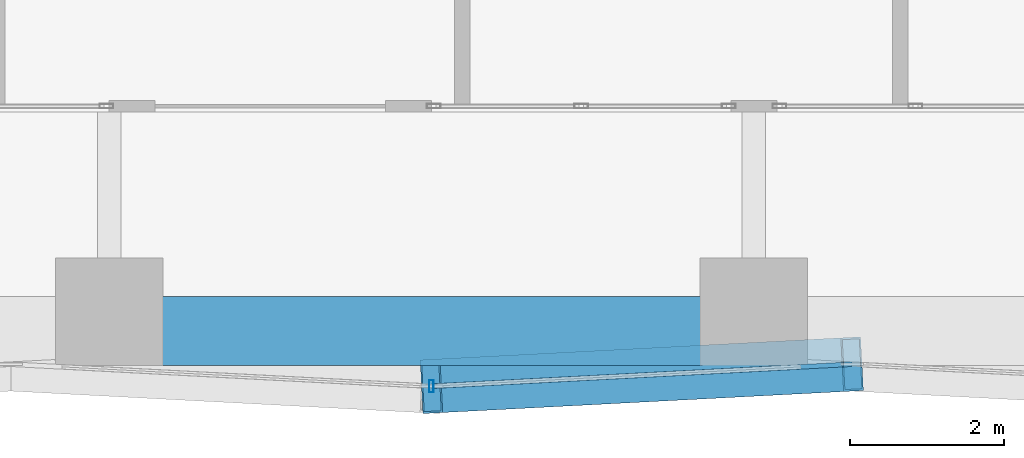
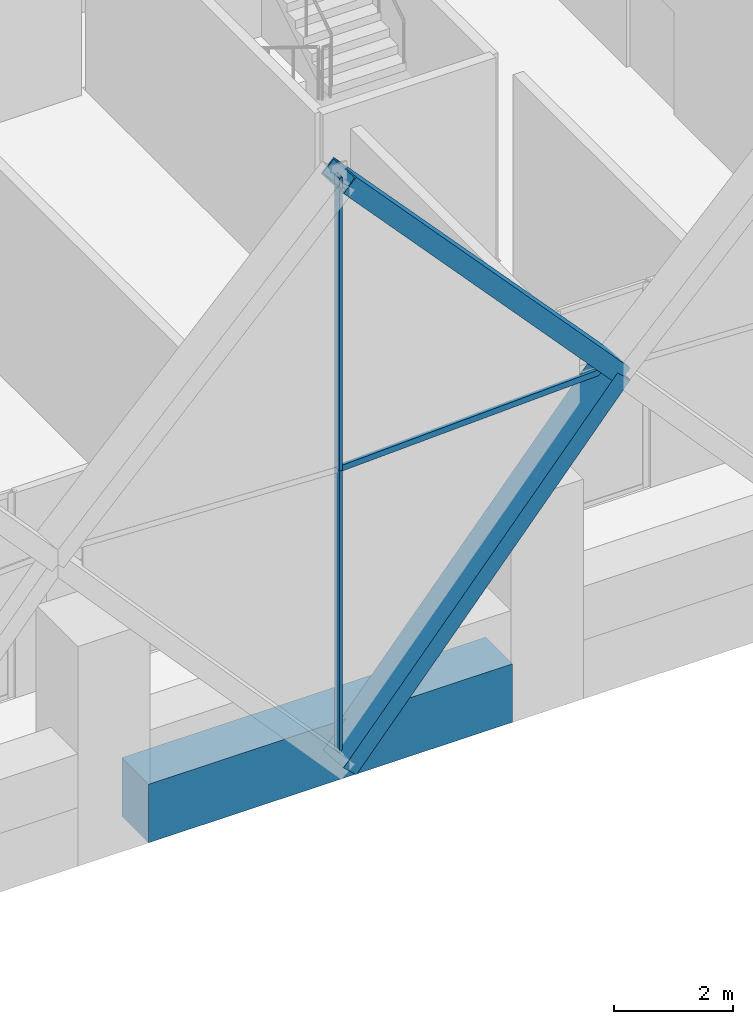
# One storey, part 9 of 46: 5 members, 1 beam, 2 elements without a shape of their own.
"""IFC4 building model written with IfcOpenShell, lengths in metres."""

from ifc_helpers import new_model, si_unit, direction, frame, origin, origin_2d, place, context, subcontext, project, spatial, rectangle, hollow_rectangle, extrude, material, material_profile, profile_set, type_object, element, aggregate, save


model = new_model("IFC4")

# Units and contexts
model_context = context("Model", 3, precision=1e-05, world=origin(), true_north=direction((0.0, 1.0)))
body_context = subcontext(model_context, "Body", "Model", "MODEL_VIEW")
ifc_project = project(units=[si_unit("LENGTHUNIT", "METRE"), si_unit("AREAUNIT", "SQUARE_METRE"), si_unit("VOLUMEUNIT", "CUBIC_METRE"), si_unit("PLANEANGLEUNIT", "RADIAN"), si_unit("MASSUNIT", "GRAM", prefix="KILO")], contexts=[model_context])

# Site, building, storey
site_placement = place(None, origin())
site = spatial("IfcSite", under=ifc_project, at=site_placement, CompositionType="ELEMENT")
building_placement = place(site_placement, origin())
building = spatial("IfcBuilding", under=site, at=building_placement, Name="Ostrander Bayou Hotel Tower", CompositionType="ELEMENT")
storey_placement = place(building_placement, frame((0.0, 0.0, 23.5)))
storey = spatial("IfcBuildingStorey", under=building, at=storey_placement, Name="L05", CompositionType="ELEMENT", Elevation=23.5)

# Curtain wall, members
ifc_material_1 = material(Name="Aluminium and clear glass", Category="aluminium")
curtain_wall_type = type_object("IfcCurtainWallType", Name="CW-LAT lattice glazing", PredefinedType="NOTDEFINED", material=ifc_material_1)
curtain_wall_1_placement = place(storey_placement, origin())
curtain_wall_1 = element("IfcCurtainWall", 1, at=curtain_wall_1_placement, inside=storey, type_object=curtain_wall_type, Name="CW-LAT L05 S 1", PredefinedType="NOTDEFINED")
ifc_material_2 = material(Name="Aluminium", Category="aluminium")
ifc_material_profile_1 = material_profile(ifc_material_2, hollow_rectangle(XDim=0.06005859375, YDim=0.159912109375, WallThickness=0.00390625, at=origin_2d()))
ifc_profile_set_1 = profile_set([ifc_material_profile_1], Name="Aluminium")
member_type_1 = type_object("IfcMemberType", Name="CW-LA mullion 60 x 160 mm", PredefinedType="MULLION", material=ifc_profile_set_1)
member_1_placement = place(storey_placement, frame((0.0, -22.070068359375, -0.60009765625), z_axis=(0.0, 0.0, 1.0), x_axis=(1.0, 0.0, 0.0)))
member_1 = element("IfcMember", 2, at=member_1_placement, type_object=member_type_1, Name="CW-LAT mullion 4", PredefinedType="MULLION", context=body_context, shape_type="SweptSolid", body=[
    extrude(hollow_rectangle(XDim=0.06005859375, YDim=0.159912109375, WallThickness=0.00390625, at=origin_2d()), origin(), (0.0, 0.0, 1.0), 6.0),
])
member_2_placement = place(storey_placement, frame((0.0, -22.070068359375, 5.39990234375), z_axis=(0.0, 0.0, 1.0), x_axis=(1.0, 0.0, 0.0)))
member_2 = element("IfcMember", 3, at=member_2_placement, type_object=member_type_1, Name="CW-LAT mullion 5", PredefinedType="MULLION", context=body_context, shape_type="SweptSolid", body=[
    extrude(hollow_rectangle(XDim=0.06005859375, YDim=0.159912109375, WallThickness=0.00390625, at=origin_2d()), origin(), (0.0, 0.0, 1.0), 6.0),
])
aggregate(curtain_wall_1, [member_1, member_2])

# Curtain wall, member
curtain_wall_2_placement = place(storey_placement, origin())
curtain_wall_2 = element("IfcCurtainWall", 4, at=curtain_wall_2_placement, inside=storey, type_object=curtain_wall_type, Name="CW-LAT L05 S 2", PredefinedType="NOTDEFINED")
ifc_material_3 = material(Name="Aluminium", Category="aluminium")
ifc_material_profile_2 = material_profile(ifc_material_3, hollow_rectangle(XDim=0.06005859375, YDim=0.1201171875, WallThickness=0.00390625, at=origin_2d()))
ifc_profile_set_2 = profile_set([ifc_material_profile_2], Name="Aluminium")
member_type_2 = type_object("IfcMemberType", Name="CW-LA transom 60 x 120 mm", PredefinedType="USERDEFINED", material=ifc_profile_set_2)
member_3_placement = place(storey_placement, frame((0.0, -22.070068359375, 5.39990234375), z_axis=(0.998630347454, 0.052320446705, 0.0), x_axis=(-0.052320446705, 0.998630347454, 0.0)))
member_3 = element("IfcMember", 5, at=member_3_placement, type_object=member_type_2, Name="CW-LAT transom 7", ObjectType="TRANSOM", PredefinedType="USERDEFINED", context=body_context, shape_type="SweptSolid", body=[
    extrude(hollow_rectangle(XDim=0.06005859375, YDim=0.1201171875, WallThickness=0.00390625, at=origin_2d()), origin(), (0.0, 0.0, 1.0), 5.48291015625),
])
aggregate(curtain_wall_2, [member_3])

# Members
ifc_material_4 = material(Name="Steel ASTM A572 Gr 50", Category="steel")
ifc_material_profile_3 = material_profile(ifc_material_4, hollow_rectangle(XDim=0.699951171875, YDim=0.35009765625, WallThickness=0.02490234375, at=origin_2d()))
ifc_profile_set_3 = profile_set([ifc_material_profile_3], Name="Steel ASTM A572 Gr 50")
member_type_3 = type_object("IfcMemberType", Name="LT1 lattice member box 700 x 350 x 25 mm", PredefinedType="BRACE", material=ifc_profile_set_3)
for number, where, z_axis, x_axis, name in (
    (6, (5.475341796875, -21.783203125, 5.39990234375), (-0.673653383854, -0.03529418674, -0.738204198582), (0.052320446705, -0.998630347454, 0.0), "LT1 L05 S 5"),
    (7, (5.475341796875, -21.783203125, 5.39990234375), (-0.673653383854, -0.03529418674, 0.738204198582), (0.052320446705, -0.998630347454, 0.0), "LT1 L05 S 6"),
):
    element("IfcMember", number, at=place(storey_placement, frame(where, z_axis=z_axis, x_axis=x_axis)), inside=storey, type_object=member_type_3, Name=name, PredefinedType="BRACE", context=body_context, shape_type="SweptSolid", body=[
        extrude(hollow_rectangle(XDim=0.699951171875, YDim=0.35009765625, WallThickness=0.02490234375, at=origin_2d()), origin(), (0.0, 0.0, 1.0), 8.1279296875),
    ])

# Beam
ifc_material_5 = material(Name="Concrete f'c 70 MPa", Category="concrete")
ifc_material_profile_4 = material_profile(ifc_material_5, rectangle(XDim=0.89990234375, YDim=1.199951171875, at=origin_2d()))
ifc_profile_set_4 = profile_set([ifc_material_profile_4], Name="Concrete f'c 70 MPa")
beam_type = type_object("IfcBeamType", Name="SP1 spandrel beam 900 x 1200 mm f'c 70 MPa", PredefinedType="SPANDREL", material=ifc_profile_set_4)
beam_placement = place(storey_placement, frame((-3.525390625, -21.35009765625, -0.60009765625), z_axis=(1.0, 0.0, 0.0), x_axis=(0.0, 1.0, 0.0)))
element("IfcBeam", 8, at=beam_placement, inside=storey, type_object=beam_type, Name="SP1 L05 S-2", PredefinedType="SPANDREL", context=body_context, shape_type="SweptSolid", body=[
    extrude(rectangle(XDim=0.89990234375, YDim=1.199951171875, at=origin_2d()), origin(), (0.0, 0.0, 1.0), 7.05078125),
])

save(model, "model.ifc")
